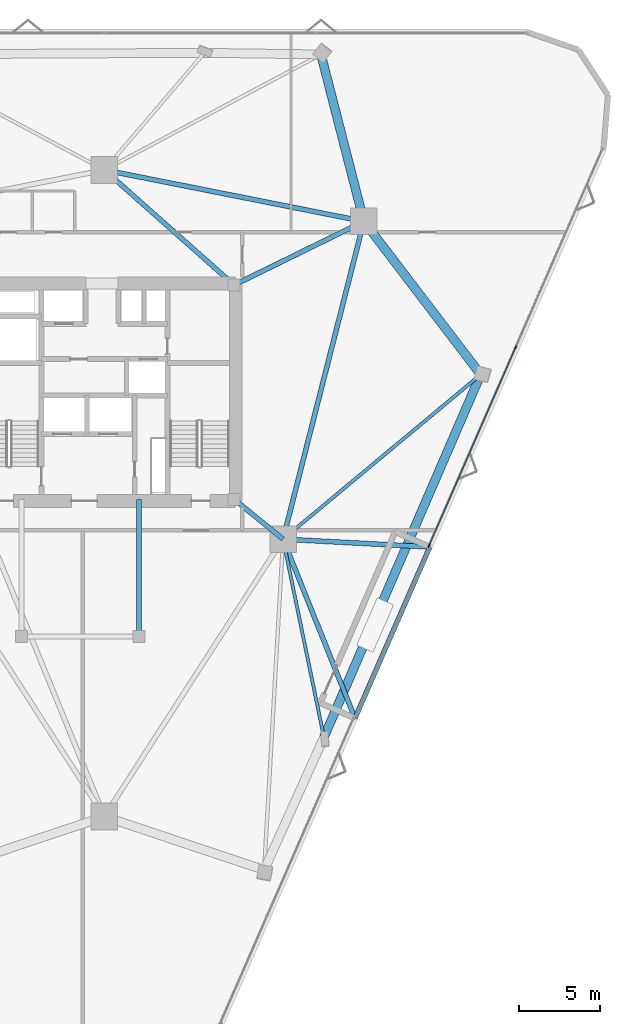
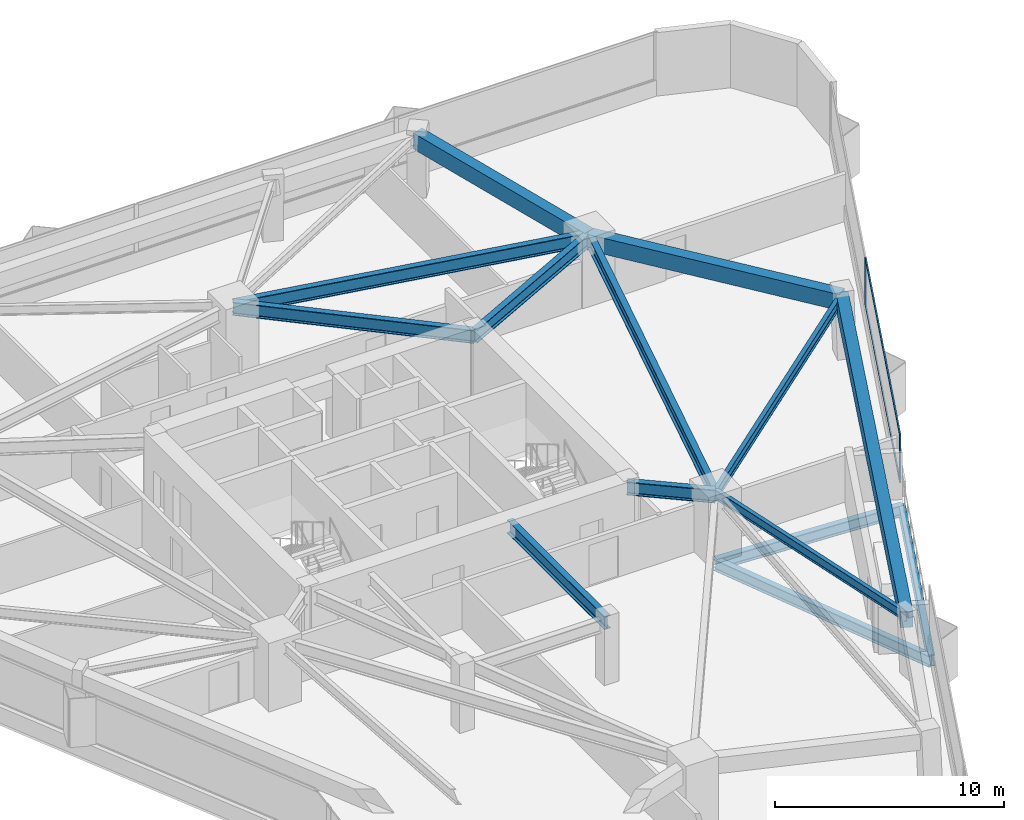
# One storey, part 6 of 14: 14 beams, 4 members, 1 element without a shape of its own.
"""IFC4 building model written with IfcOpenShell, lengths in metres."""

from ifc_helpers import new_model, si_unit, direction, frame, origin, origin_2d, place, context, subcontext, project, spatial, rectangle, i_section, extrude, material, layer, layer_set, material_profile, profile_set, type_object, element, aggregate, save


model = new_model("IFC4")

# Units and contexts
model_context = context("Model", 3, precision=1e-05, world=origin(), true_north=direction((0.0, 1.0)))
body_context = subcontext(model_context, "Body", "Model", "MODEL_VIEW")
ifc_project = project(units=[si_unit("LENGTHUNIT", "METRE"), si_unit("AREAUNIT", "SQUARE_METRE"), si_unit("VOLUMEUNIT", "CUBIC_METRE"), si_unit("PLANEANGLEUNIT", "RADIAN"), si_unit("MASSUNIT", "GRAM", prefix="KILO")], contexts=[model_context])

# Site, building, storey
site_placement = place(None, origin())
site = spatial("IfcSite", under=ifc_project, at=site_placement, CompositionType="ELEMENT")
building_placement = place(site_placement, origin())
building = spatial("IfcBuilding", under=site, at=building_placement, Name="Talyreon Biosciences Tower", CompositionType="ELEMENT")
storey_placement = place(building_placement, frame((0.0, 0.0, 96.89990234375)))
storey = spatial("IfcBuildingStorey", under=building, at=storey_placement, Name="L25", CompositionType="ELEMENT", Elevation=96.89990234375)

# Curtain wall, members
ifc_material_1 = material(Name="Thermally broken aluminium and low-E glazing", Category="aluminium")
ifc_layer = layer(ifc_material_1, 0.205078125)
ifc_layer_set = layer_set([ifc_layer], Name="Thermally broken aluminium and low-E glazing")
curtain_wall_type = type_object("IfcCurtainWallType", Name="CurtainWall_SkyGardenLoggia", PredefinedType="NOTDEFINED", material=ifc_layer_set)
curtain_wall_placement = place(storey_placement, origin())
curtain_wall = element("IfcCurtainWall", 1, at=curtain_wall_placement, inside=storey, type_object=curtain_wall_type, Name="L25 Unitised Curtain Wall FCW-L25-07", PredefinedType="NOTDEFINED")
ifc_material_2 = material(Name="Anodised thermally broken aluminium", Category="aluminium")
ifc_material_profile_1 = material_profile(ifc_material_2, rectangle(XDim=0.074951171875, YDim=0.2099609375, at=origin_2d()), Name="ALUM MULLION 75x210")
ifc_profile_set_1 = profile_set([ifc_material_profile_1], Name="Anodised thermally broken aluminium")
member_type_1 = type_object("IfcMemberType", Name="CWMullion_75x210", PredefinedType="MULLION", material=ifc_profile_set_1)
member_1_placement = place(storey_placement, frame((91.517333984375, 70.76513671875, 0.81005859375), z_axis=(0.0, 0.0, 1.0), x_axis=(0.916278057019, -0.400542784513, 0.0)))
member_1 = element("IfcMember", 2, at=member_1_placement, type_object=member_type_1, Name="CW7 mullion 2", PredefinedType="MULLION", context=body_context, shape_type="SweptSolid", body=[
    extrude(rectangle(XDim=0.074951171875, YDim=0.2099609375, at=origin_2d()), origin(), (0.0, 0.0, 1.0), 2.56494140625),
])
member_2_placement = place(storey_placement, frame((86.13916015625, 58.4619140625, 0.81005859375), z_axis=(0.0, 0.0, 1.0), x_axis=(0.916278057019, -0.400542784513, 0.0)))
member_2 = element("IfcMember", 3, at=member_2_placement, type_object=member_type_1, Name="CW7 mullion 3", PredefinedType="MULLION", context=body_context, shape_type="SweptSolid", body=[
    extrude(rectangle(XDim=0.074951171875, YDim=0.2099609375, at=origin_2d()), origin(), (0.0, 0.0, 1.0), 2.56494140625),
])
ifc_material_profile_2 = material_profile(ifc_material_2, rectangle(XDim=0.06494140625, YDim=0.139892578125, at=origin_2d()), Name="ALUM TRANSOM 65x140")
ifc_profile_set_2 = profile_set([ifc_material_profile_2], Name="Anodised thermally broken aluminium")
member_type_2 = type_object("IfcMemberType", Name="CWTransom_65x140", PredefinedType="USERDEFINED", material=ifc_profile_set_2)
member_3_placement = place(storey_placement, frame((91.50244140625, 70.730712890625, 0.842529296875), z_axis=(-0.40055791934, -0.916271440816, 0.0), x_axis=(0.916271440816, -0.40055791934, 0.0)))
member_3 = element("IfcMember", 4, at=member_3_placement, type_object=member_type_2, Name="CW7 transom 2.1", ObjectType="TRANSOM", PredefinedType="USERDEFINED", context=body_context, shape_type="SweptSolid", body=[
    extrude(rectangle(XDim=0.06494140625, YDim=0.139892578125, at=origin_2d()), origin(), (0.0, 0.0, 1.0), 13.352294921875),
])
member_4_placement = place(storey_placement, frame((91.50244140625, 70.730712890625, 3.342529296875), z_axis=(-0.40055791934, -0.916271440816, 0.0), x_axis=(0.916271440816, -0.40055791934, 0.0)))
member_4 = element("IfcMember", 5, at=member_4_placement, type_object=member_type_2, Name="CW7 transom 2.2", ObjectType="TRANSOM", PredefinedType="USERDEFINED", context=body_context, shape_type="SweptSolid", body=[
    extrude(rectangle(XDim=0.06494140625, YDim=0.139892578125, at=origin_2d()), origin(), (0.0, 0.0, 1.0), 13.352294921875),
])
aggregate(curtain_wall, [member_1, member_2, member_3, member_4])

# Beams
ifc_material_3 = material(Name="Precast concrete C45/55", Category="concrete")
ifc_material_profile_3 = material_profile(ifc_material_3, rectangle(XDim=0.550048828125, YDim=0.85009765625, at=origin_2d()), Name="RCB 550x850")
ifc_profile_set_3 = profile_set([ifc_material_profile_3], Name="Precast concrete C45/55")
beam_type_1 = type_object("IfcBeamType", Name="ExpressedSpandrel_550x850", PredefinedType="SPANDREL", material=ifc_profile_set_3)
beam_1_placement = place(storey_placement, frame((79.622802734375, 46.58349609375, 2.9501953125), z_axis=(0.39670259788, 0.917947192836, 0.0), x_axis=(-0.917947192836, 0.39670259788, 0.0)))
element("IfcBeam", 6, at=beam_1_placement, inside=storey, type_object=beam_type_1, Name="L25 Expressed Horizontal Concrete Spandrel 03", PredefinedType="SPANDREL", context=body_context, shape_type="SweptSolid", body=[
    extrude(rectangle(XDim=0.550048828125, YDim=0.85009765625, at=origin_2d()), origin(), (0.0, 0.0, 1.0), 24.5234375),
])
beam_2_placement = place(storey_placement, frame((89.351318359375, 69.0947265625, 2.9501953125), z_axis=(-0.606464058812, 0.795110901302, 0.0), x_axis=(-0.795110901302, -0.606464058812, 0.0)))
element("IfcBeam", 7, at=beam_2_placement, inside=storey, type_object=beam_type_1, Name="L25 Expressed Horizontal Concrete Spandrel 04", PredefinedType="SPANDREL", context=body_context, shape_type="SweptSolid", body=[
    extrude(rectangle(XDim=0.550048828125, YDim=0.85009765625, at=origin_2d()), origin(), (0.0, 0.0, 1.0), 11.952880859375),
])
beam_3_placement = place(storey_placement, frame((82.102294921875, 78.5986328125, 2.9501953125), z_axis=(-0.249060000115, 0.968488056892, 0.0), x_axis=(-0.968488056892, -0.249060000115, 0.0)))
element("IfcBeam", 8, at=beam_3_placement, inside=storey, type_object=beam_type_1, Name="L25 Expressed Horizontal Concrete Spandrel 05", PredefinedType="SPANDREL", context=body_context, shape_type="SweptSolid", body=[
    extrude(rectangle(XDim=0.550048828125, YDim=0.85009765625, at=origin_2d()), origin(), (0.0, 0.0, 1.0), 10.697509765625),
])
ifc_material_4 = material(Name="Steel SM355", Category="steel")
ifc_material_profile_4 = material_profile(ifc_material_4, i_section(OverallWidth=0.300048828125, OverallDepth=0.60009765625, WebThickness=0.015380859375, FlangeThickness=0.030029296875, FilletRadius=0.027099609375, at=origin_2d()), Name="HE600B")
ifc_profile_set_4 = profile_set([ifc_material_profile_4], Name="Steel SM355")
beam_type_2 = type_object("IfcBeamType", Name="SteelBeam_HE600B", PredefinedType="BEAM", material=ifc_profile_set_4)
beam_4_placement = place(storey_placement, frame((77.086181640625, 58.88037109375, -0.6298828125), z_axis=(0.372781992061, -0.927918954648, 0.0), x_axis=(0.927918954648, 0.372781992061, 0.0)))
element("IfcBeam", 9, at=beam_4_placement, inside=storey, type_object=beam_type_2, Name="L25 Sky-Garden Terrace Edge Outrigger 1", PredefinedType="BEAM", context=body_context, shape_type="SweptSolid", body=[
    extrude(i_section(OverallWidth=0.300048828125, OverallDepth=0.60009765625, WebThickness=0.015380859375, FlangeThickness=0.030029296875, FilletRadius=0.027099609375, at=origin_2d()), origin(), (0.0, 0.0, 1.0), 11.97705078125),
])
beam_5_placement = place(storey_placement, frame((77.086181640625, 58.88037109375, -0.6298828125), z_axis=(0.998587059042, -0.053140243817, 0.0), x_axis=(0.053140243817, 0.998587059042, 0.0)))
element("IfcBeam", 10, at=beam_5_placement, inside=storey, type_object=beam_type_2, Name="L25 Sky-Garden Terrace Edge Outrigger 2", PredefinedType="BEAM", context=body_context, shape_type="SweptSolid", body=[
    extrude(i_section(OverallWidth=0.300048828125, OverallDepth=0.60009765625, WebThickness=0.015380859375, FlangeThickness=0.030029296875, FilletRadius=0.027099609375, at=origin_2d()), origin(), (0.0, 0.0, 1.0), 9.124267578125),
])
beam_6_placement = place(storey_placement, frame((81.551025390625, 47.7666015625, -0.6298828125), z_axis=(0.400553840452, 0.916273223934, 0.0), x_axis=(-0.916273223934, 0.400553840452, 0.0)))
element("IfcBeam", 11, at=beam_6_placement, inside=storey, type_object=beam_type_2, Name="L25 Sky-Garden Terrace Outer Edge Beam", PredefinedType="BEAM", context=body_context, shape_type="SweptSolid", body=[
    extrude(i_section(OverallWidth=0.300048828125, OverallDepth=0.60009765625, WebThickness=0.015380859375, FlangeThickness=0.030029296875, FilletRadius=0.027099609375, at=origin_2d()), origin(), (0.0, 0.0, 1.0), 11.60009765625),
])
ifc_material_profile_5 = material_profile(ifc_material_4, i_section(OverallWidth=0.300048828125, OverallDepth=0.699951171875, WebThickness=0.01708984375, FlangeThickness=0.031982421875, FilletRadius=0.027099609375, at=origin_2d()), Name="HE700B")
ifc_profile_set_5 = profile_set([ifc_material_profile_5], Name="Steel SM355")
beam_type_3 = type_object("IfcBeamType", Name="SteelGirder_HE700B", PredefinedType="BEAM", material=ifc_profile_set_5)
beam_7_placement = place(storey_placement, frame((77.086181640625, 58.88037109375, 3.025146484375), z_axis=(0.246537082299, 0.969133358755, 0.0), x_axis=(-0.969133358755, 0.246537082299, 0.0)))
element("IfcBeam", 12, at=beam_7_placement, inside=storey, type_object=beam_type_3, Name="L25 Mega-Ring Girder 2", PredefinedType="BEAM", context=body_context, shape_type="SweptSolid", body=[
    extrude(i_section(OverallWidth=0.300048828125, OverallDepth=0.699951171875, WebThickness=0.01708984375, FlangeThickness=0.031982421875, FilletRadius=0.027099609375, at=origin_2d()), origin(), (0.0, 0.0, 1.0), 20.34619140625),
])
beam_8_placement = place(storey_placement, frame((82.102294921875, 78.5986328125, 3.025146484375), z_axis=(-0.980933730698, 0.194342522311, 0.0), x_axis=(-0.194342522311, -0.980933730698, 0.0)))
element("IfcBeam", 13, at=beam_8_placement, inside=storey, type_object=beam_type_3, Name="L25 Mega-Ring Girder 3", PredefinedType="BEAM", context=body_context, shape_type="SweptSolid", body=[
    extrude(i_section(OverallWidth=0.300048828125, OverallDepth=0.699951171875, WebThickness=0.01708984375, FlangeThickness=0.031982421875, FilletRadius=0.027099609375, at=origin_2d()), origin(), (0.0, 0.0, 1.0), 16.415283203125),
])
beam_9_placement = place(storey_placement, frame((74.050048828125, 61.35009765625, 3.025146484375), z_axis=(0.775755154013, -0.631034025249, 0.0), x_axis=(0.631034025249, 0.775755154013, 0.0)))
element("IfcBeam", 14, at=beam_9_placement, inside=storey, type_object=beam_type_3, Name="L25 Radial Primary Girder 2", PredefinedType="BEAM", context=body_context, shape_type="SweptSolid", body=[
    extrude(i_section(OverallWidth=0.300048828125, OverallDepth=0.699951171875, WebThickness=0.01708984375, FlangeThickness=0.031982421875, FilletRadius=0.027099609375, at=origin_2d()), origin(), (0.0, 0.0, 1.0), 3.913818359375),
])
beam_10_placement = place(storey_placement, frame((74.050048828125, 74.64990234375, 3.025146484375), z_axis=(0.897852360314, 0.440296648952, 0.0), x_axis=(-0.440296648952, 0.897852360314, 0.0)))
element("IfcBeam", 15, at=beam_10_placement, inside=storey, type_object=beam_type_3, Name="L25 Radial Primary Girder 3", PredefinedType="BEAM", context=body_context, shape_type="SweptSolid", body=[
    extrude(i_section(OverallWidth=0.300048828125, OverallDepth=0.699951171875, WebThickness=0.01708984375, FlangeThickness=0.031982421875, FilletRadius=0.027099609375, at=origin_2d()), origin(), (0.0, 0.0, 1.0), 8.96826171875),
])
beam_11_placement = place(storey_placement, frame((74.050048828125, 74.64990234375, 3.025146484375), z_axis=(-0.748178733955, 0.663497235908, 0.0), x_axis=(-0.663497235908, -0.748178733955, 0.0)))
element("IfcBeam", 16, at=beam_11_placement, inside=storey, type_object=beam_type_3, Name="L25 Radial Primary Girder 4", PredefinedType="BEAM", context=body_context, shape_type="SweptSolid", body=[
    extrude(i_section(OverallWidth=0.300048828125, OverallDepth=0.699951171875, WebThickness=0.01708984375, FlangeThickness=0.031982421875, FilletRadius=0.027099609375, at=origin_2d()), origin(), (0.0, 0.0, 1.0), 10.759521484375),
])
beam_12_placement = place(storey_placement, frame((68.14990234375, 52.840087890625, 3.025146484375), z_axis=(0.0, 1.0, 0.0), x_axis=(-1.0, 0.0, 0.0)))
element("IfcBeam", 17, at=beam_12_placement, inside=storey, type_object=beam_type_3, Name="L25 Crown Shaft Tie Girder E", PredefinedType="BEAM", context=body_context, shape_type="SweptSolid", body=[
    extrude(i_section(OverallWidth=0.300048828125, OverallDepth=0.699951171875, WebThickness=0.01708984375, FlangeThickness=0.031982421875, FilletRadius=0.027099609375, at=origin_2d()), origin(), (0.0, 0.0, 1.0), 8.510009765625),
])
ifc_material_profile_6 = material_profile(ifc_material_4, i_section(OverallWidth=0.199951171875, OverallDepth=0.5, WebThickness=0.01025390625, FlangeThickness=0.01611328125, FilletRadius=0.02099609375, at=origin_2d()), Name="IPE500")
ifc_profile_set_6 = profile_set([ifc_material_profile_6], Name="Steel SM355")
beam_type_4 = type_object("IfcBeamType", Name="SteelJoist_IPE500", PredefinedType="JOIST", material=ifc_profile_set_6)
beam_13_placement = place(storey_placement, frame((77.086181640625, 58.88037109375, 3.125), z_axis=(0.202028176319, -0.979379709803, 0.0), x_axis=(0.979379709803, 0.202028176319, 0.0)))
element("IfcBeam", 18, at=beam_13_placement, inside=storey, type_object=beam_type_4, Name="L25 Radial Composite Floor Joist PL-SE", PredefinedType="JOIST", context=body_context, shape_type="SweptSolid", body=[
    extrude(i_section(OverallWidth=0.199951171875, OverallDepth=0.5, WebThickness=0.01025390625, FlangeThickness=0.01611328125, FilletRadius=0.02099609375, at=origin_2d()), origin(), (0.0, 0.0, 1.0), 12.5556640625),
])
ifc_material_profile_7 = material_profile(ifc_material_4, i_section(OverallWidth=0.2099609375, OverallDepth=0.550048828125, WebThickness=0.010986328125, FlangeThickness=0.01708984375, FilletRadius=0.02392578125, at=origin_2d()), Name="IPE550")
ifc_profile_set_7 = profile_set([ifc_material_profile_7], Name="Steel SM355")
beam_type_5 = type_object("IfcBeamType", Name="SteelJoist_IPE550", PredefinedType="JOIST", material=ifc_profile_set_7)
beam_14_placement = place(storey_placement, frame((77.086181640625, 58.88037109375, 3.10009765625), z_axis=(0.768424347499, 0.639940639569, 0.0), x_axis=(-0.639940639569, 0.768424347499, 0.0)))
element("IfcBeam", 19, at=beam_14_placement, inside=storey, type_object=beam_type_5, Name="L25 Radial Composite Floor Joist PC-SE2", PredefinedType="JOIST", context=body_context, shape_type="SweptSolid", body=[
    extrude(i_section(OverallWidth=0.2099609375, OverallDepth=0.550048828125, WebThickness=0.010986328125, FlangeThickness=0.01708984375, FilletRadius=0.02392578125, at=origin_2d()), origin(), (0.0, 0.0, 1.0), 15.96142578125),
])

save(model, "model.ifc")
